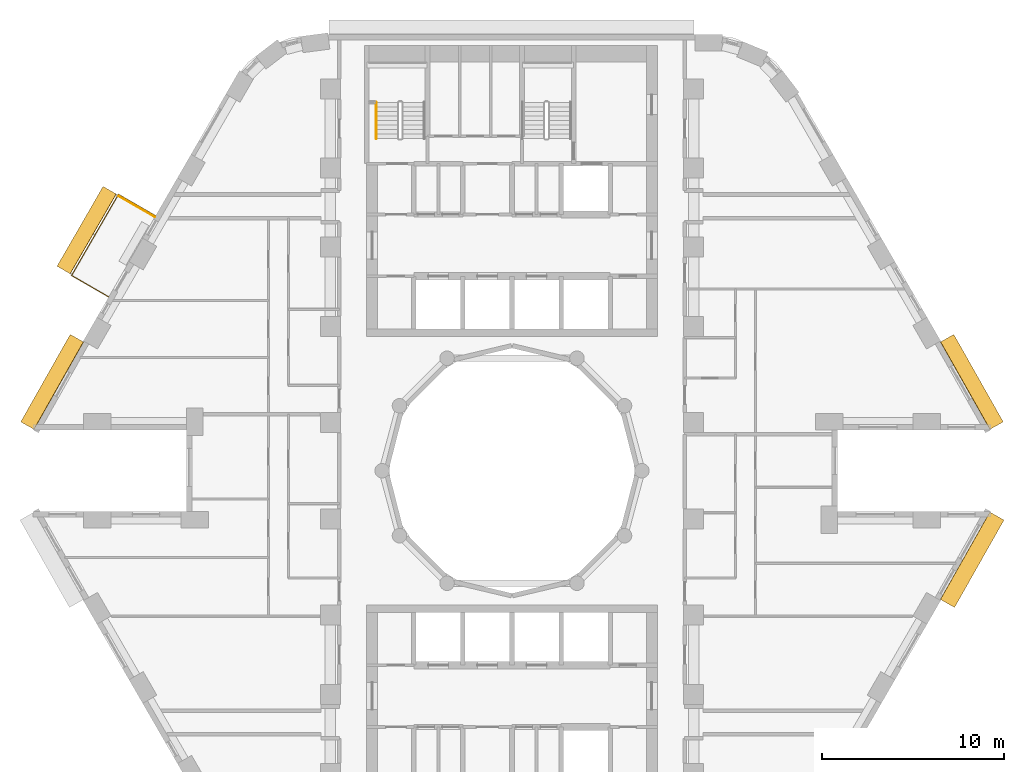
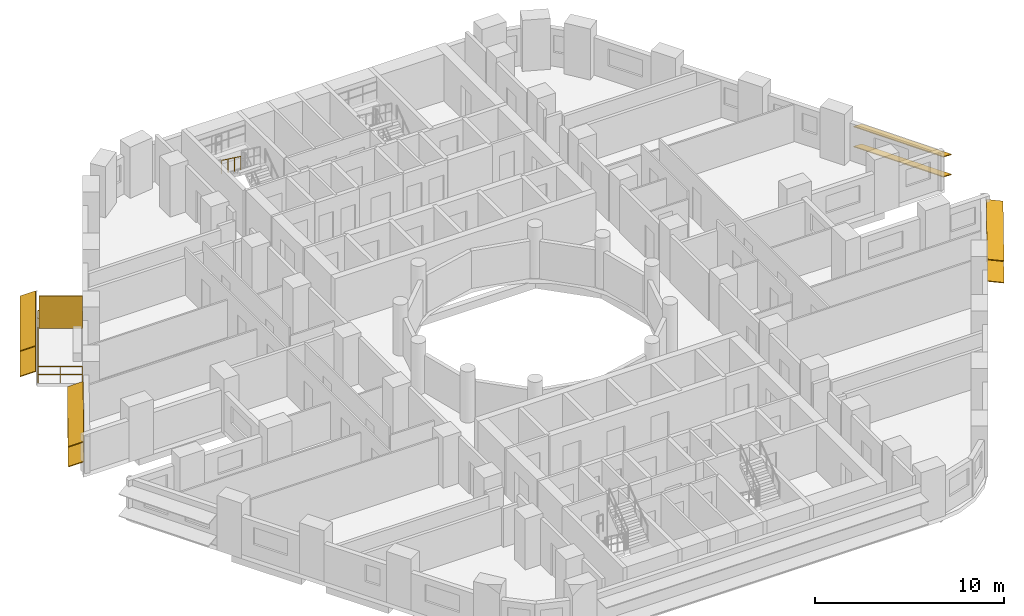
# One storey, part 12 of 13: 9 shading devices, 2 railings.
"""IFC4 building model written with IfcOpenShell, lengths in metres."""

import ifcopenshell
import ifcopenshell.guid

model = None  # the IFC model being written
_history = None  # IfcOwnerHistory: only IFC2X3 demands one
_inside = {}  # id of a spatial element -> (the spatial element, [elements in it])
_under = {}  # id of a project, library or spatial element -> (it, [spatial elements below it])
_declared = {}  # id of a project -> (the project, [libraries it declares])
_typed = {}  # id of a type object -> (the type object, [elements of that type])
_made_of = {}  # id of a material, layer set ... -> (it, [elements and type objects made of it])


def new_model(schema):
    """Start an empty IFC model of exactly this schema.

    Asked for "IFC4X3", IfcOpenShell would pick the latest addendum, in which some entities
    have other attributes; the version numbers below select the first issue.
    IFC2X3 requires an IfcOwnerHistory on every rooted entity: one is made here for all.
    """
    global model, _history
    if schema == "IFC4X3":
        model = ifcopenshell.file(schema_version=(4, 3, 0, 0))
    else:
        model = ifcopenshell.file(schema=schema)
    _inside.clear()
    _under.clear()
    _declared.clear()
    _typed.clear()
    _made_of.clear()
    _history = None
    if model.schema == "IFC2X3":
        org = make("IfcOrganization", Name="unknown")
        user = make(
            "IfcPersonAndOrganization",
            ThePerson=make("IfcPerson", FamilyName="unknown"),
            TheOrganization=org,
        )
        app = make(
            "IfcApplication",
            ApplicationDeveloper=org,
            Version="unknown",
            ApplicationFullName="unknown",
            ApplicationIdentifier="unknown",
        )
        _history = make(
            "IfcOwnerHistory",
            OwningUser=user,
            OwningApplication=app,
            ChangeAction="ADDED",
            CreationDate=0,
        )
    return model


def make(cls, **values):
    """One entity of the class cls with the attributes given. An attribute that is None is left unset."""
    return model.create_entity(
        cls, **{name: value for name, value in values.items() if value is not None}
    )


def rooted(cls, **values):
    """An entity with a GlobalId (a new one), such as an element, a storey or a relation."""
    return make(cls, GlobalId=ifcopenshell.guid.new(), OwnerHistory=_history, **values)


def si_unit(unit_type, name, prefix=None):
    """IfcSIUnit, for example si_unit("LENGTHUNIT", "METRE", prefix="MILLI")."""
    return make("IfcSIUnit", UnitType=unit_type, Prefix=prefix, Name=name)


def assignment(units):
    """IfcUnitAssignment: the units of a project."""
    return None if units is None else make("IfcUnitAssignment", Units=units)


def point(xyz):
    """IfcCartesianPoint."""
    return None if xyz is None else make("IfcCartesianPoint", Coordinates=xyz)


def direction(xyz):
    """IfcDirection."""
    return None if xyz is None else make("IfcDirection", DirectionRatios=xyz)


def frame(location, z_axis=None, x_axis=None):
    """IfcAxis2Placement3D, a coordinate frame: its origin and axes. An axis left out is left unset."""
    return make(
        "IfcAxis2Placement3D",
        Location=point(location),
        Axis=direction(z_axis),
        RefDirection=direction(x_axis),
    )


def frame_2d(location, x_axis=None):
    """IfcAxis2Placement2D, a coordinate frame in the plane: its origin and x axis."""
    return make(
        "IfcAxis2Placement2D", Location=point(location), RefDirection=direction(x_axis)
    )


def origin():
    """The frame at (0, 0, 0) with its axes left unset."""
    return frame((0.0, 0.0, 0.0))


def origin_2d():
    """The frame at (0, 0) in the plane with its x axis left unset."""
    return frame_2d((0.0, 0.0))


def place(relative_to, where):
    """IfcLocalPlacement: puts the frame where relative to a parent placement (None: the world)."""
    return make(
        "IfcLocalPlacement", PlacementRelTo=relative_to, RelativePlacement=where
    )


def context(
    kind, dimensions, precision=None, world=None, true_north=None, identifier=None
):
    """IfcGeometricRepresentationContext, for example the 3D "Model" context."""
    return make(
        "IfcGeometricRepresentationContext",
        ContextIdentifier=identifier,
        ContextType=kind,
        CoordinateSpaceDimension=dimensions,
        Precision=precision,
        WorldCoordinateSystem=world,
        TrueNorth=true_north,
    )


def subcontext(parent, identifier, kind, view, scale=None):
    """IfcGeometricRepresentationSubContext, for example "Body" below "Model"."""
    return make(
        "IfcGeometricRepresentationSubContext",
        ContextIdentifier=identifier,
        ContextType=kind,
        ParentContext=parent,
        TargetScale=scale,
        TargetView=view,
    )


def project(units=None, contexts=None):
    """IfcProject with its units and contexts."""
    return rooted(
        "IfcProject",
        Name="project",
        RepresentationContexts=contexts,
        UnitsInContext=assignment(units),
    )


def spatial(cls, under=None, at=None, **own):
    """A site, building, storey or space (cls), placed at a placement, below another one or the project."""
    s = rooted(cls, ObjectPlacement=at, **own)
    if under is not None:
        _under.setdefault(under.id(), (under, []))[1].append(s)
    return s


def profile(cls, at=None, kind="AREA", **sizes):
    """A parametric profile (cls). Its sizes go by their IFC names, for example OverallWidth=200.0."""
    return make(cls, ProfileType=kind, Position=at, **sizes)


def rectangle(**sizes):
    """IfcRectangleProfileDef."""
    return profile("IfcRectangleProfileDef", **sizes)


def circle(**sizes):
    """IfcCircleProfileDef."""
    return profile("IfcCircleProfileDef", **sizes)


def extrude(swept, where, along, depth):
    """IfcExtrudedAreaSolid: the profile swept, set in the frame where, extruded along a direction by depth."""
    return make(
        "IfcExtrudedAreaSolid",
        SweptArea=swept,
        Position=where,
        ExtrudedDirection=direction(along),
        Depth=depth,
    )


def shape(context_of_items, identifier, shape_type, items):
    """IfcShapeRepresentation: the items that make up one representation, for example the "Body"."""
    return make(
        "IfcShapeRepresentation",
        ContextOfItems=context_of_items,
        RepresentationIdentifier=identifier,
        RepresentationType=shape_type,
        Items=items,
    )


def material(Name=None, Category=None):
    """IfcMaterial."""
    return make("IfcMaterial", Name=Name, Category=Category)


def layer(
    of_material, thickness, ventilated=None, Name=None, Category=None, Priority=None
):
    """IfcMaterialLayer: one layer of a wall or slab, of a material (None: an air gap)."""
    return make(
        "IfcMaterialLayer",
        Material=of_material,
        LayerThickness=thickness,
        IsVentilated=ventilated,
        Name=Name,
        Category=Category,
        Priority=Priority,
    )


def layer_set(layers, Name=None):
    """IfcMaterialLayerSet."""
    return make("IfcMaterialLayerSet", MaterialLayers=layers, LayerSetName=Name)


def material_profile(
    of_material, cross_section, Name=None, Category=None, Priority=None
):
    """IfcMaterialProfile: a cross section and its material."""
    return make(
        "IfcMaterialProfile",
        Name=Name,
        Material=of_material,
        Profile=cross_section,
        Priority=Priority,
        Category=Category,
    )


def profile_set(profiles, Name=None, composite=None):
    """IfcMaterialProfileSet."""
    return make(
        "IfcMaterialProfileSet",
        Name=Name,
        MaterialProfiles=profiles,
        CompositeProfile=composite,
    )


def made_of(thing, what):
    """Note that an element or type object is made of a material, layer set ...; save() writes the relation."""
    if what is not None:
        _made_of.setdefault(what.id(), (what, []))[1].append(thing)
    return thing


def type_object(cls, material=None, **own):
    """A type object (cls), such as IfcWallType, which elements share."""
    return made_of(rooted(cls, **own), material)


def element(
    cls,
    number,
    at=None,
    inside=None,
    cuts=None,
    type_object=None,
    material=None,
    context=None,
    identifier="Body",
    shape_type=None,
    held_by="IfcProductDefinitionShape",
    body=None,
    shapes=None,
    **own,
):
    """One element of the class cls, such as IfcWall. Its Tag is "e" and its number.

    at: its placement. inside: the storey or other place that contains it. cuts: it is an
    opening in that element (IfcRelVoidsElement). A single representation is given by context,
    identifier, shape_type and body (its items); several are given by shapes. held_by: the class
    of the entity that holds the representations. save() writes the other relations.
    """
    e = rooted(cls, Tag="e%d" % number, ObjectPlacement=at, **own)
    if body is not None:
        shapes = [shape(context, identifier, shape_type, body)]
    if shapes is not None:
        e.Representation = make(held_by, Representations=shapes)
    if inside is not None:
        _inside.setdefault(inside.id(), (inside, []))[1].append(e)
    if cuts is not None:
        rooted(
            "IfcRelVoidsElement", RelatingBuildingElement=cuts, RelatedOpeningElement=e
        )
    if type_object is not None:
        _typed.setdefault(type_object.id(), (type_object, []))[1].append(e)
    return made_of(e, material)


def aggregate(whole, parts):
    """IfcRelAggregates: a whole, such as a stair, and the parts it consists of."""
    return rooted("IfcRelAggregates", RelatingObject=whole, RelatedObjects=parts)


def save(model, path):
    """Write the relations noted so far, then the file.

    IfcRelAggregates (storeys below a building ...), IfcRelContainedInSpatialStructure (elements
    in a storey), IfcRelDefinesByType, IfcRelAssociatesMaterial and IfcRelDeclares: one each for
    every whole, place, type object, material and project.
    """
    for whole, parts in _under.values():
        aggregate(whole, parts)
    for where, things in _inside.values():
        rooted(
            "IfcRelContainedInSpatialStructure",
            RelatedElements=things,
            RelatingStructure=where,
        )
    for kind, things in _typed.values():
        rooted("IfcRelDefinesByType", RelatedObjects=things, RelatingType=kind)
    for what, things in _made_of.values():
        rooted("IfcRelAssociatesMaterial", RelatedObjects=things, RelatingMaterial=what)
    for by, libraries in _declared.values():
        rooted("IfcRelDeclares", RelatingContext=by, RelatedDefinitions=libraries)
    model.write(path)


model = new_model("IFC4")

# Units and contexts
model_context = context("Model", 3, precision=1e-05, world=origin(), true_north=direction((0.0, 1.0)))
body_context = subcontext(model_context, "Body", "Model", "MODEL_VIEW")
ifc_project = project(units=[si_unit("LENGTHUNIT", "METRE"), si_unit("AREAUNIT", "SQUARE_METRE"), si_unit("VOLUMEUNIT", "CUBIC_METRE"), si_unit("PLANEANGLEUNIT", "RADIAN"), si_unit("MASSUNIT", "GRAM", prefix="KILO")], contexts=[model_context])

# Site, building, storey
site_placement = place(None, origin())
site = spatial("IfcSite", under=ifc_project, at=site_placement, CompositionType="ELEMENT")
building_placement = place(site_placement, origin())
building = spatial("IfcBuilding", under=site, at=building_placement, Name="Nakaniwa Court", CompositionType="ELEMENT")
storey_placement = place(building_placement, frame((0.0, 0.0, 41.39990234375)))
storey = spatial("IfcBuildingStorey", under=building, at=storey_placement, Name="L10", CompositionType="ELEMENT", Elevation=41.39990234375)

# Railing
ifc_material_1 = material(Name="Black powder-coated steel flat bar balustrade S275", Category="steel")
railing_type_1 = type_object("IfcRailingType", Name="Black metal balcony guard 1100", PredefinedType="GUARDRAIL", material=ifc_material_1)
railing_1_placement = place(storey_placement, frame((60.384521484375, 94.025390625, -0.0498046875)))
element("IfcRailing", 1, at=railing_1_placement, inside=storey, type_object=railing_type_1, Name="L10 balcony guard 01", PredefinedType="GUARDRAIL", context=body_context, shape_type="SweptSolid", body=[
    extrude(circle(Radius=0.02392578125, at=origin_2d()), frame((0.0, 0.0, 1.076171875), z_axis=(-0.866025363618, 0.50000006957, 0.0), x_axis=(-0.50000006957, -0.866025363618, 0.0)), (0.0, 0.0, 1.0), 2.35986328125),
    extrude(circle(Radius=0.02392578125, at=origin_2d()), frame((0.0, 0.0, 0.550048828125), z_axis=(-0.866025363618, 0.50000006957, 0.0), x_axis=(-0.50000006957, -0.866025363618, 0.0)), (0.0, 0.0, 1.0), 2.35986328125),
    extrude(circle(Radius=0.02392578125, at=origin_2d()), frame((-2.043701171875, 1.179931640625, 1.076171875), z_axis=(-0.499983737144, -0.866034792945, 0.0), x_axis=(0.866034792945, -0.499983737144, 0.0)), (0.0, 0.0, 1.0), 5.149658203125),
    extrude(circle(Radius=0.02392578125, at=origin_2d()), frame((-2.043701171875, 1.179931640625, 0.550048828125), z_axis=(-0.499983737144, -0.866034792945, 0.0), x_axis=(0.866034792945, -0.499983737144, 0.0)), (0.0, 0.0, 1.0), 5.149658203125),
    extrude(circle(Radius=0.02392578125, at=origin_2d()), frame((-4.618408203125, -3.27978515625, 1.076171875), z_axis=(0.866051224006, -0.499955275397, 0.0), x_axis=(0.499955275397, 0.866051224006, 0.0)), (0.0, 0.0, 1.0), 2.360107421875),
    extrude(circle(Radius=0.02392578125, at=origin_2d()), frame((-4.618408203125, -3.27978515625, 0.550048828125), z_axis=(0.866051224006, -0.499955275397, 0.0), x_axis=(0.499955275397, 0.866051224006, 0.0)), (0.0, 0.0, 1.0), 2.360107421875),
    extrude(circle(Radius=0.02099609375, at=origin_2d()), origin(), (0.0, 0.0, 1.0), 1.052001953125),
    extrude(circle(Radius=0.02099609375, at=origin_2d()), frame((-1.02197265625, 0.58984375, 0.0)), (0.0, 0.0, 1.0), 1.052001953125),
    extrude(circle(Radius=0.02099609375, at=origin_2d()), frame((-2.043701171875, 1.179931640625, 0.0)), (0.0, 0.0, 1.0), 1.052001953125),
    extrude(circle(Radius=0.02099609375, at=origin_2d()), frame((-2.55859375, 0.2880859375, 0.0)), (0.0, 0.0, 1.0), 1.052001953125),
    extrude(circle(Radius=0.02099609375, at=origin_2d()), frame((-3.073486328125, -0.60400390625, 0.0)), (0.0, 0.0, 1.0), 1.052001953125),
    extrude(circle(Radius=0.02099609375, at=origin_2d()), frame((-3.588623046875, -1.495849609375, 0.0)), (0.0, 0.0, 1.0), 1.052001953125),
    extrude(circle(Radius=0.02099609375, at=origin_2d()), frame((-4.103515625, -2.387939453125, 0.0)), (0.0, 0.0, 1.0), 1.052001953125),
    extrude(circle(Radius=0.02099609375, at=origin_2d()), frame((-4.618408203125, -3.27978515625, 0.0)), (0.0, 0.0, 1.0), 1.052001953125),
    extrude(circle(Radius=0.02099609375, at=origin_2d()), frame((-3.596435546875, -3.86962890625, 0.0)), (0.0, 0.0, 1.0), 1.052001953125),
    extrude(circle(Radius=0.02099609375, at=origin_2d()), frame((-2.574462890625, -4.459716796875, 0.0)), (0.0, 0.0, 1.0), 1.052001953125),
])

# Shading devices
ifc_material_2 = material(Name="Black powder-coated aluminium slat screen", Category="aluminium")
ifc_layer = layer(ifc_material_2, 0.0400390625)
ifc_layer_set = layer_set([ifc_layer], Name="Black powder-coated aluminium slat screen")
shading_device_type_1 = type_object("IfcShadingDeviceType", Name="Koshi screen black metal", PredefinedType="USERDEFINED", material=ifc_layer_set)
shading_device_placement = place(storey_placement, frame((59.344482421875, 94.53369140625, -0.050048828125), z_axis=(0.0, 0.0, 1.0), x_axis=(-0.499974304289, -0.866040238702, 0.0)))
element("IfcShadingDevice", 2, at=shading_device_placement, inside=storey, type_object=shading_device_type_1, Name="L10 balcony SCREEN 01 W", ObjectType="KOSHI SCREEN", PredefinedType="USERDEFINED", context=body_context, shape_type="SweptSolid", body=[
    extrude(rectangle(XDim=0.0400390625, YDim=2.31005859375, at=origin_2d()), origin(), (0.0, 0.0, 1.0), 2.10009765625),
])
ifc_material_3 = material(Name="Perforated charcoal ceramic louvre blade")
ifc_material_profile = material_profile(ifc_material_3, rectangle(XDim=0.89990234375, YDim=0.050048828125, at=origin_2d()), Name="Perforated ceramic louvre blade")
ifc_profile_set = profile_set([ifc_material_profile], Name="Perforated charcoal ceramic louvre blade")
shading_device_type_2 = type_object("IfcShadingDeviceType", Name="Perforated ceramic louvre blade", PredefinedType="JALOUSIE", material=ifc_profile_set)
for number, where, z_axis, x_axis, name in (
    (3, (57.865966796875, 95.433349609375, 0.5), (-0.499982305563, -0.866035619431, 0.0), (0.800112583218, -0.461923418727, 0.382683432365), "L10 perforated ceramic louvre blade 01 1"),
    (4, (57.865966796875, 95.433349609375, 2.150146484375), (-0.499982305563, -0.866035619431, 0.0), (0.800112583218, -0.461923418727, 0.382683432365), "L10 perforated ceramic louvre blade 01 2"),
):
    element("IfcShadingDevice", number, at=place(storey_placement, frame(where, z_axis=z_axis, x_axis=x_axis)), inside=storey, type_object=shading_device_type_2, Name=name, PredefinedType="JALOUSIE", context=body_context, shape_type="SweptSolid", body=[
        extrude(rectangle(XDim=0.89990234375, YDim=0.050048828125, at=origin_2d()), origin(), (0.0, 0.0, 1.0), 5.069580078125),
    ])
for number, where, z_axis, x_axis, name in (
    (5, (106.662353515625, 82.480224609375, 0.550048828125), (-0.492342539441, 0.870401530247, 0.0), (-0.80472628244, -0.455193342019, 0.38107037635), "L10 perforated ceramic louvre blade w02 1"),
    (6, (106.662353515625, 82.480224609375, 1.845458984375), (-0.492342539441, 0.870401530247, 0.0), (-0.80472628244, -0.455193342019, 0.38107037635), "L10 perforated ceramic louvre blade w02 2"),
    (7, (56.05859375, 87.29052734375, 0.550048828125), (-0.492342539441, -0.870401530247, 0.0), (0.80472628244, -0.455193342019, 0.38107037635), "L10 perforated ceramic louvre blade w14 1"),
    (8, (56.05859375, 87.29052734375, 1.845458984375), (-0.492342539441, -0.870401530247, 0.0), (0.80472628244, -0.455193342019, 0.38107037635), "L10 perforated ceramic louvre blade w14 2"),
    (9, (103.962158203125, 72.69775390625, 0.550048828125), (0.492342539441, 0.870401530247, 0.0), (-0.86275552304, 0.488017576221, 0.132256390257), "L10 perforated ceramic louvre blade w32 1"),
    (10, (103.962158203125, 72.69775390625, 1.955810546875), (0.492342539441, 0.870401530247, 0.0), (-0.86275552304, 0.488017576221, 0.132256390257), "L10 perforated ceramic louvre blade w32 2"),
):
    element("IfcShadingDevice", number, at=place(storey_placement, frame(where, z_axis=z_axis, x_axis=x_axis)), inside=storey, type_object=shading_device_type_2, Name=name, PredefinedType="JALOUSIE", context=body_context, shape_type="SweptSolid", body=[
        extrude(rectangle(XDim=0.89990234375, YDim=0.050048828125, at=origin_2d()), origin(), (0.0, 0.0, 1.0), 5.526611328125),
    ])

# Railing
ifc_material_4 = material(Name="Black powder coated steel handrail", Category="steel")
railing_type_2 = type_object("IfcRailingType", Name="Stair handrail 900", PredefinedType="HANDRAIL", material=ifc_material_4)
railing_2_placement = place(storey_placement, frame((72.52490234375, 100.27490234375, 1.83349609375)))
element("IfcRailing", 11, at=railing_2_placement, inside=storey, type_object=railing_type_2, Name="L10 ST1 stair handrail 2", PredefinedType="HANDRAIL", context=body_context, shape_type="SweptSolid", body=[
    extrude(circle(Radius=0.02392578125, at=origin_2d()), frame((0.0, 0.0, 0.8759765625), z_axis=(0.0, -0.806426902644, 0.591333789573), x_axis=(1.0, 0.0, 0.0)), (0.0, 0.0, 1.0), 2.47998046875),
    extrude(circle(Radius=0.02099609375, at=origin_2d()), origin(), (0.0, 0.0, 1.0), 0.851806640625),
    extrude(circle(Radius=0.02099609375, at=origin_2d()), frame((0.0, -0.666748046875, 0.48876953125)), (0.0, 0.0, 1.0), 0.851806640625),
    extrude(circle(Radius=0.02099609375, at=origin_2d()), frame((0.0, -1.333251953125, 0.977783203125)), (0.0, 0.0, 1.0), 0.851806640625),
    extrude(circle(Radius=0.02099609375, at=origin_2d()), frame((0.0, -2.0, 1.466552734375)), (0.0, 0.0, 1.0), 0.851806640625),
])

save(model, "model.ifc")
